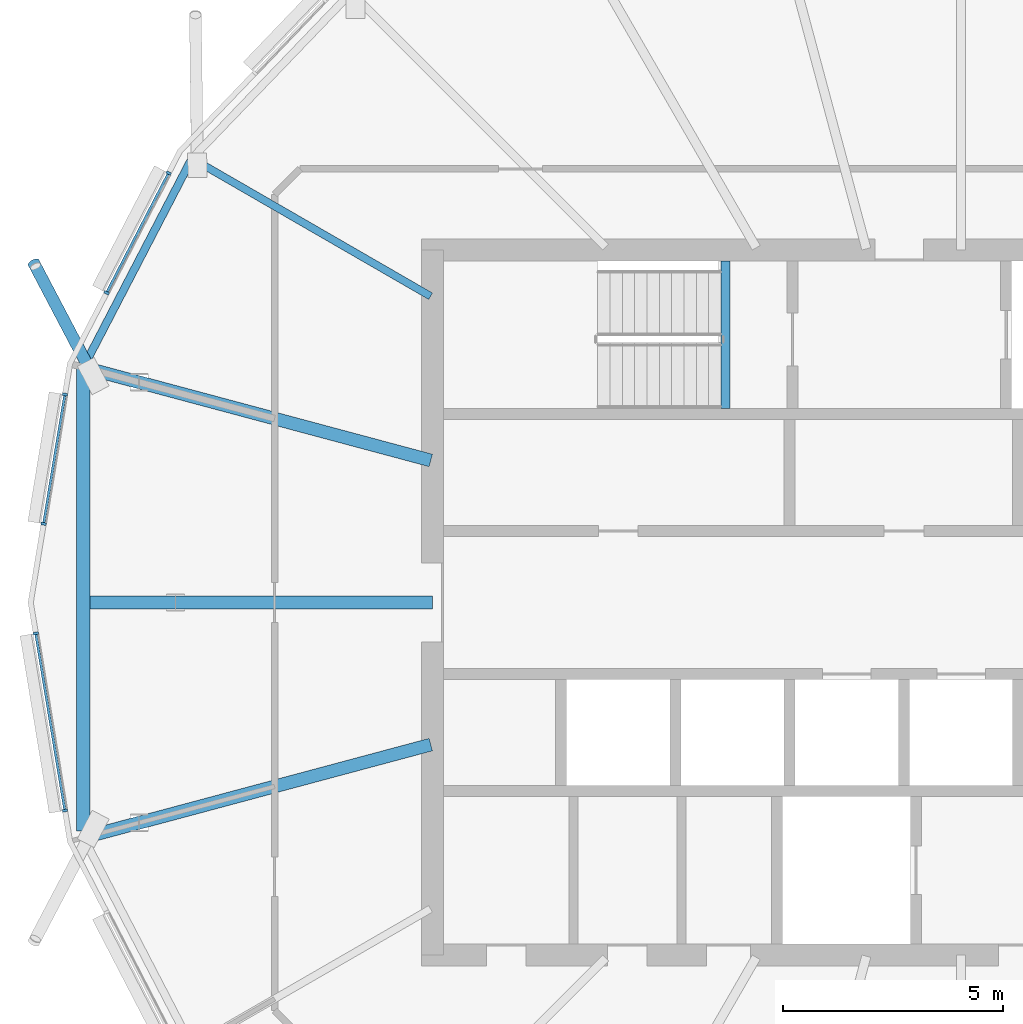
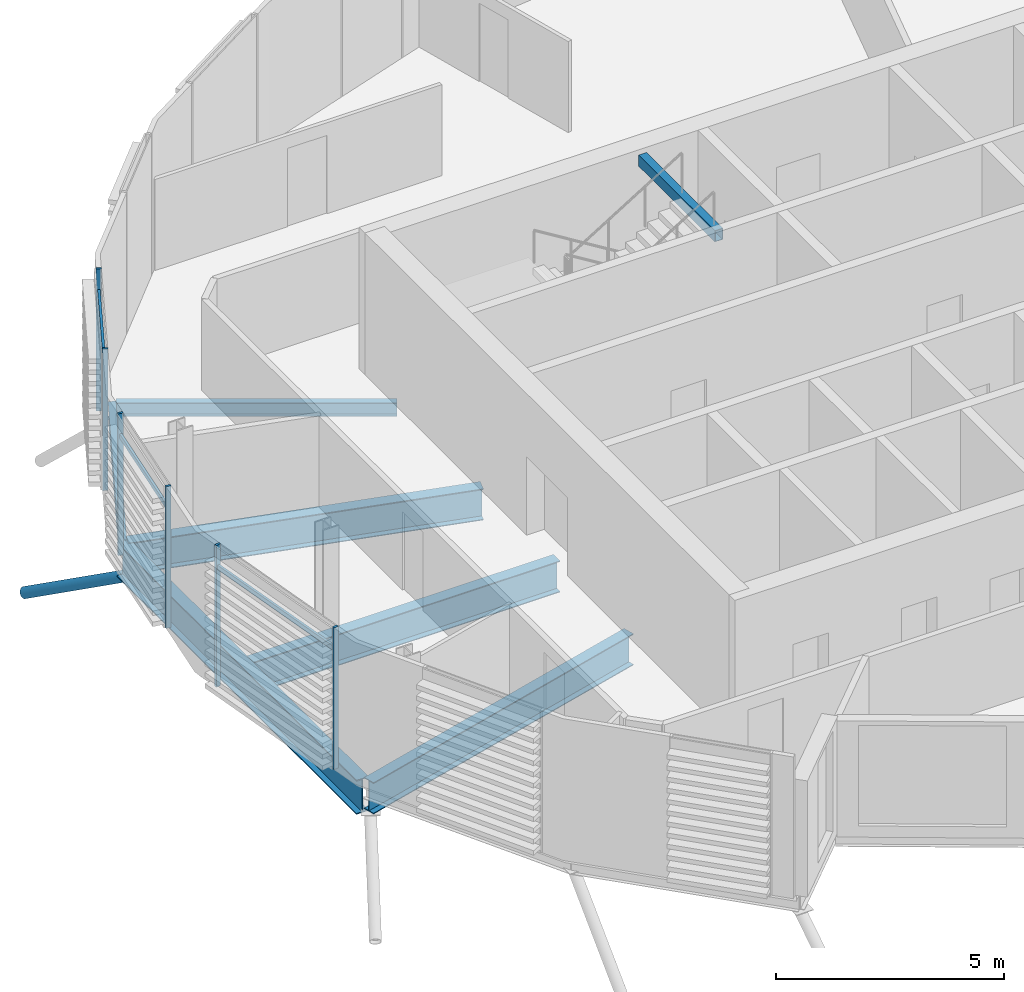
# One storey, part 5 of 38: 10 members, 7 beams, 1 element without a shape of its own.
"""IFC4 building model written with IfcOpenShell, lengths in metres."""

import ifcopenshell
import ifcopenshell.guid

model = None  # the IFC model being written
_history = None  # IfcOwnerHistory: only IFC2X3 demands one
_inside = {}  # id of a spatial element -> (the spatial element, [elements in it])
_under = {}  # id of a project, library or spatial element -> (it, [spatial elements below it])
_declared = {}  # id of a project -> (the project, [libraries it declares])
_typed = {}  # id of a type object -> (the type object, [elements of that type])
_made_of = {}  # id of a material, layer set ... -> (it, [elements and type objects made of it])


def new_model(schema):
    """Start an empty IFC model of exactly this schema.

    Asked for "IFC4X3", IfcOpenShell would pick the latest addendum, in which some entities
    have other attributes; the version numbers below select the first issue.
    IFC2X3 requires an IfcOwnerHistory on every rooted entity: one is made here for all.
    """
    global model, _history
    if schema == "IFC4X3":
        model = ifcopenshell.file(schema_version=(4, 3, 0, 0))
    else:
        model = ifcopenshell.file(schema=schema)
    _inside.clear()
    _under.clear()
    _declared.clear()
    _typed.clear()
    _made_of.clear()
    _history = None
    if model.schema == "IFC2X3":
        org = make("IfcOrganization", Name="unknown")
        user = make(
            "IfcPersonAndOrganization",
            ThePerson=make("IfcPerson", FamilyName="unknown"),
            TheOrganization=org,
        )
        app = make(
            "IfcApplication",
            ApplicationDeveloper=org,
            Version="unknown",
            ApplicationFullName="unknown",
            ApplicationIdentifier="unknown",
        )
        _history = make(
            "IfcOwnerHistory",
            OwningUser=user,
            OwningApplication=app,
            ChangeAction="ADDED",
            CreationDate=0,
        )
    return model


def make(cls, **values):
    """One entity of the class cls with the attributes given. An attribute that is None is left unset."""
    return model.create_entity(
        cls, **{name: value for name, value in values.items() if value is not None}
    )


def rooted(cls, **values):
    """An entity with a GlobalId (a new one), such as an element, a storey or a relation."""
    return make(cls, GlobalId=ifcopenshell.guid.new(), OwnerHistory=_history, **values)


def si_unit(unit_type, name, prefix=None):
    """IfcSIUnit, for example si_unit("LENGTHUNIT", "METRE", prefix="MILLI")."""
    return make("IfcSIUnit", UnitType=unit_type, Prefix=prefix, Name=name)


def assignment(units):
    """IfcUnitAssignment: the units of a project."""
    return None if units is None else make("IfcUnitAssignment", Units=units)


def point(xyz):
    """IfcCartesianPoint."""
    return None if xyz is None else make("IfcCartesianPoint", Coordinates=xyz)


def direction(xyz):
    """IfcDirection."""
    return None if xyz is None else make("IfcDirection", DirectionRatios=xyz)


def frame(location, z_axis=None, x_axis=None):
    """IfcAxis2Placement3D, a coordinate frame: its origin and axes. An axis left out is left unset."""
    return make(
        "IfcAxis2Placement3D",
        Location=point(location),
        Axis=direction(z_axis),
        RefDirection=direction(x_axis),
    )


def frame_2d(location, x_axis=None):
    """IfcAxis2Placement2D, a coordinate frame in the plane: its origin and x axis."""
    return make(
        "IfcAxis2Placement2D", Location=point(location), RefDirection=direction(x_axis)
    )


def origin():
    """The frame at (0, 0, 0) with its axes left unset."""
    return frame((0.0, 0.0, 0.0))


def origin_2d():
    """The frame at (0, 0) in the plane with its x axis left unset."""
    return frame_2d((0.0, 0.0))


def place(relative_to, where):
    """IfcLocalPlacement: puts the frame where relative to a parent placement (None: the world)."""
    return make(
        "IfcLocalPlacement", PlacementRelTo=relative_to, RelativePlacement=where
    )


def context(
    kind, dimensions, precision=None, world=None, true_north=None, identifier=None
):
    """IfcGeometricRepresentationContext, for example the 3D "Model" context."""
    return make(
        "IfcGeometricRepresentationContext",
        ContextIdentifier=identifier,
        ContextType=kind,
        CoordinateSpaceDimension=dimensions,
        Precision=precision,
        WorldCoordinateSystem=world,
        TrueNorth=true_north,
    )


def subcontext(parent, identifier, kind, view, scale=None):
    """IfcGeometricRepresentationSubContext, for example "Body" below "Model"."""
    return make(
        "IfcGeometricRepresentationSubContext",
        ContextIdentifier=identifier,
        ContextType=kind,
        ParentContext=parent,
        TargetScale=scale,
        TargetView=view,
    )


def project(units=None, contexts=None):
    """IfcProject with its units and contexts."""
    return rooted(
        "IfcProject",
        Name="project",
        RepresentationContexts=contexts,
        UnitsInContext=assignment(units),
    )


def spatial(cls, under=None, at=None, **own):
    """A site, building, storey or space (cls), placed at a placement, below another one or the project."""
    s = rooted(cls, ObjectPlacement=at, **own)
    if under is not None:
        _under.setdefault(under.id(), (under, []))[1].append(s)
    return s


def profile(cls, at=None, kind="AREA", **sizes):
    """A parametric profile (cls). Its sizes go by their IFC names, for example OverallWidth=200.0."""
    return make(cls, ProfileType=kind, Position=at, **sizes)


def rectangle(**sizes):
    """IfcRectangleProfileDef."""
    return profile("IfcRectangleProfileDef", **sizes)


def hollow_rectangle(**sizes):
    """IfcRectangleHollowProfileDef."""
    return profile("IfcRectangleHollowProfileDef", **sizes)


def hollow_circle(**sizes):
    """IfcCircleHollowProfileDef."""
    return profile("IfcCircleHollowProfileDef", **sizes)


def i_section(**sizes):
    """IfcIShapeProfileDef."""
    return profile("IfcIShapeProfileDef", **sizes)


def extrude(swept, where, along, depth):
    """IfcExtrudedAreaSolid: the profile swept, set in the frame where, extruded along a direction by depth."""
    return make(
        "IfcExtrudedAreaSolid",
        SweptArea=swept,
        Position=where,
        ExtrudedDirection=direction(along),
        Depth=depth,
    )


def clip(a, b, op="DIFFERENCE"):
    """IfcBooleanClippingResult: the solid a cut by the half space b."""
    return make(
        "IfcBooleanClippingResult", Operator=op, FirstOperand=a, SecondOperand=b
    )


def halfspace(plane, agree):
    """IfcHalfSpaceSolid: all space on one side of the plane z = 0 of the frame plane."""
    return make(
        "IfcHalfSpaceSolid",
        BaseSurface=make("IfcPlane", Position=plane),
        AgreementFlag=agree,
    )


def shape(context_of_items, identifier, shape_type, items):
    """IfcShapeRepresentation: the items that make up one representation, for example the "Body"."""
    return make(
        "IfcShapeRepresentation",
        ContextOfItems=context_of_items,
        RepresentationIdentifier=identifier,
        RepresentationType=shape_type,
        Items=items,
    )


def material(Name=None, Category=None):
    """IfcMaterial."""
    return make("IfcMaterial", Name=Name, Category=Category)


def material_profile(
    of_material, cross_section, Name=None, Category=None, Priority=None
):
    """IfcMaterialProfile: a cross section and its material."""
    return make(
        "IfcMaterialProfile",
        Name=Name,
        Material=of_material,
        Profile=cross_section,
        Priority=Priority,
        Category=Category,
    )


def profile_set(profiles, Name=None, composite=None):
    """IfcMaterialProfileSet."""
    return make(
        "IfcMaterialProfileSet",
        Name=Name,
        MaterialProfiles=profiles,
        CompositeProfile=composite,
    )


def made_of(thing, what):
    """Note that an element or type object is made of a material, layer set ...; save() writes the relation."""
    if what is not None:
        _made_of.setdefault(what.id(), (what, []))[1].append(thing)
    return thing


def type_object(cls, material=None, **own):
    """A type object (cls), such as IfcWallType, which elements share."""
    return made_of(rooted(cls, **own), material)


def element(
    cls,
    number,
    at=None,
    inside=None,
    cuts=None,
    type_object=None,
    material=None,
    context=None,
    identifier="Body",
    shape_type=None,
    held_by="IfcProductDefinitionShape",
    body=None,
    shapes=None,
    **own,
):
    """One element of the class cls, such as IfcWall. Its Tag is "e" and its number.

    at: its placement. inside: the storey or other place that contains it. cuts: it is an
    opening in that element (IfcRelVoidsElement). A single representation is given by context,
    identifier, shape_type and body (its items); several are given by shapes. held_by: the class
    of the entity that holds the representations. save() writes the other relations.
    """
    e = rooted(cls, Tag="e%d" % number, ObjectPlacement=at, **own)
    if body is not None:
        shapes = [shape(context, identifier, shape_type, body)]
    if shapes is not None:
        e.Representation = make(held_by, Representations=shapes)
    if inside is not None:
        _inside.setdefault(inside.id(), (inside, []))[1].append(e)
    if cuts is not None:
        rooted(
            "IfcRelVoidsElement", RelatingBuildingElement=cuts, RelatedOpeningElement=e
        )
    if type_object is not None:
        _typed.setdefault(type_object.id(), (type_object, []))[1].append(e)
    return made_of(e, material)


def aggregate(whole, parts):
    """IfcRelAggregates: a whole, such as a stair, and the parts it consists of."""
    return rooted("IfcRelAggregates", RelatingObject=whole, RelatedObjects=parts)


def save(model, path):
    """Write the relations noted so far, then the file.

    IfcRelAggregates (storeys below a building ...), IfcRelContainedInSpatialStructure (elements
    in a storey), IfcRelDefinesByType, IfcRelAssociatesMaterial and IfcRelDeclares: one each for
    every whole, place, type object, material and project.
    """
    for whole, parts in _under.values():
        aggregate(whole, parts)
    for where, things in _inside.values():
        rooted(
            "IfcRelContainedInSpatialStructure",
            RelatedElements=things,
            RelatingStructure=where,
        )
    for kind, things in _typed.values():
        rooted("IfcRelDefinesByType", RelatedObjects=things, RelatingType=kind)
    for what, things in _made_of.values():
        rooted("IfcRelAssociatesMaterial", RelatedObjects=things, RelatingMaterial=what)
    for by, libraries in _declared.values():
        rooted("IfcRelDeclares", RelatingContext=by, RelatedDefinitions=libraries)
    model.write(path)


model = new_model("IFC4")

# Units and contexts
model_context = context("Model", 3, precision=1e-05, world=origin(), true_north=direction((0.0, 1.0)))
body_context = subcontext(model_context, "Body", "Model", "MODEL_VIEW")
ifc_project = project(units=[si_unit("LENGTHUNIT", "METRE"), si_unit("AREAUNIT", "SQUARE_METRE"), si_unit("VOLUMEUNIT", "CUBIC_METRE"), si_unit("PLANEANGLEUNIT", "RADIAN"), si_unit("MASSUNIT", "GRAM", prefix="KILO")], contexts=[model_context])

# Site, building, storey
site_placement = place(None, origin())
site = spatial("IfcSite", under=ifc_project, at=site_placement, CompositionType="ELEMENT")
building_placement = place(site_placement, origin())
building = spatial("IfcBuilding", under=site, at=building_placement, Name="Rimbun Link Towers", CompositionType="ELEMENT")
storey_placement = place(building_placement, frame((0.0, 0.0, 218.10009765625)))
storey = spatial("IfcBuildingStorey", under=building, at=storey_placement, Name="L53", CompositionType="ELEMENT", Elevation=218.10009765625)

# Curtain wall, members
ifc_material_1 = material(Name="Aluminium 6063-T6 and low-iron glass", Category="aluminium")
curtain_wall_type = type_object("IfcCurtainWallType", Name="CW1-Z4 unitised vision wall (zone 4)", PredefinedType="NOTDEFINED", material=ifc_material_1)
curtain_wall_placement = place(storey_placement, origin())
curtain_wall = element("IfcCurtainWall", 1, at=curtain_wall_placement, inside=storey, type_object=curtain_wall_type, Name="CW1 L53 T1", PredefinedType="NOTDEFINED")
ifc_material_2 = material(Name="Aluminium 6063-T6", Category="aluminium")
ifc_material_profile_1 = material_profile(ifc_material_2, rectangle(XDim=0.1201171875, YDim=0.06005859375, at=origin_2d()), Name="MULLION 60X120")
ifc_profile_set_1 = profile_set([ifc_material_profile_1], Name="Aluminium 6063-T6")
member_type_1 = type_object("IfcMemberType", Name="CW1 mullion 60X120", PredefinedType="MULLION", material=ifc_profile_set_1)
member_1_placement = place(storey_placement, frame((-51.1474609375, 7.03125, 0.0), z_axis=(0.0, 0.0, 1.0), x_axis=(-0.888150016656, 0.459553639865, 0.0)))
member_1 = element("IfcMember", 2, at=member_1_placement, type_object=member_type_1, Name="CW1 mullion", PredefinedType="MULLION", context=body_context, shape_type="SweptSolid", body=[
    extrude(rectangle(XDim=0.1201171875, YDim=0.06005859375, at=origin_2d()), origin(), (0.0, 0.0, 1.0), 3.7998046875),
])
member_2_placement = place(storey_placement, frame((-49.740966796875, 9.74951171875, 0.0), z_axis=(0.0, 0.0, 1.0), x_axis=(-0.888150016656, 0.459553639865, 0.0)))
member_2 = element("IfcMember", 3, at=member_2_placement, type_object=member_type_1, Name="CW1 mullion", PredefinedType="MULLION", context=body_context, shape_type="SweptSolid", body=[
    extrude(rectangle(XDim=0.1201171875, YDim=0.06005859375, at=origin_2d()), origin(), (0.0, 0.0, 1.0), 3.7998046875),
])
member_3_placement = place(storey_placement, frame((-52.577392578125, 1.785888671875, 0.0), z_axis=(0.0, 0.0, 1.0), x_axis=(-0.986747369979, 0.162264068235, 0.0)))
member_3 = element("IfcMember", 4, at=member_3_placement, type_object=member_type_1, Name="CW1 mullion", PredefinedType="MULLION", context=body_context, shape_type="SweptSolid", body=[
    extrude(rectangle(XDim=0.1201171875, YDim=0.06005859375, at=origin_2d()), origin(), (0.0, 0.0, 1.0), 3.7998046875),
])
member_4_placement = place(storey_placement, frame((-52.09423828125, 4.723876953125, 0.0), z_axis=(0.0, 0.0, 1.0), x_axis=(-0.986747369979, 0.162264068235, 0.0)))
member_4 = element("IfcMember", 5, at=member_4_placement, type_object=member_type_1, Name="CW1 mullion", PredefinedType="MULLION", context=body_context, shape_type="SweptSolid", body=[
    extrude(rectangle(XDim=0.1201171875, YDim=0.06005859375, at=origin_2d()), origin(), (0.0, 0.0, 1.0), 3.7998046875),
])
member_5_placement = place(storey_placement, frame((-52.09423828125, -4.723876953125, 0.0), z_axis=(0.0, 0.0, 1.0), x_axis=(-0.986747369979, -0.162264068235, 0.0)))
member_5 = element("IfcMember", 6, at=member_5_placement, type_object=member_type_1, Name="CW1 mullion", PredefinedType="MULLION", context=body_context, shape_type="SweptSolid", body=[
    extrude(rectangle(XDim=0.1201171875, YDim=0.06005859375, at=origin_2d()), origin(), (0.0, 0.0, 1.0), 3.7998046875),
])
member_6_placement = place(storey_placement, frame((-52.755859375, -0.700439453125, 0.0), z_axis=(0.0, 0.0, 1.0), x_axis=(-0.986747369979, -0.162264068235, 0.0)))
member_6 = element("IfcMember", 7, at=member_6_placement, type_object=member_type_1, Name="CW1 mullion", PredefinedType="MULLION", context=body_context, shape_type="SweptSolid", body=[
    extrude(rectangle(XDim=0.1201171875, YDim=0.06005859375, at=origin_2d()), origin(), (0.0, 0.0, 1.0), 3.7998046875),
])
ifc_material_3 = material(Name="Aluminium 6063-T6", Category="aluminium")
ifc_material_profile_2 = material_profile(ifc_material_3, rectangle(XDim=0.06005859375, YDim=0.1201171875, at=origin_2d()), Name="TRANSOM 60X120")
ifc_profile_set_2 = profile_set([ifc_material_profile_2], Name="Aluminium 6063-T6")
member_type_2 = type_object("IfcMemberType", Name="CW1 transom 60X120", PredefinedType="USERDEFINED", material=ifc_profile_set_2)
member_7_placement = place(storey_placement, frame((-51.1318359375, 7.056884765625, 3.199951171875), z_axis=(0.459538013842, 0.888158101823, 0.0), x_axis=(-0.888158101823, 0.459538013842, 0.0)))
member_7 = element("IfcMember", 8, at=member_7_placement, type_object=member_type_2, Name="CW1 transom", ObjectType="TRANSOM", PredefinedType="USERDEFINED", context=body_context, shape_type="SweptSolid", body=[
    extrude(rectangle(XDim=0.06005859375, YDim=0.1201171875, at=origin_2d()), origin(), (0.0, 0.0, 1.0), 3.000732421875),
])
member_8_placement = place(storey_placement, frame((-52.570556640625, 1.815185546875, 3.199951171875), z_axis=(0.162254593898, 0.986748927924, 0.0), x_axis=(-0.986748927924, 0.162254593898, 0.0)))
member_8 = element("IfcMember", 9, at=member_8_placement, type_object=member_type_2, Name="CW1 transom", ObjectType="TRANSOM", PredefinedType="USERDEFINED", context=body_context, shape_type="SweptSolid", body=[
    extrude(rectangle(XDim=0.06005859375, YDim=0.1201171875, at=origin_2d()), origin(), (0.0, 0.0, 1.0), 2.91748046875),
])
member_9_placement = place(storey_placement, frame((-52.09716796875, -4.694091796875, 3.199951171875), z_axis=(-0.162250369036, 0.986749622624, 0.0), x_axis=(-0.986749622624, -0.162250369036, 0.0)))
member_9 = element("IfcMember", 10, at=member_9_placement, type_object=member_type_2, Name="CW1 transom", ObjectType="TRANSOM", PredefinedType="USERDEFINED", context=body_context, shape_type="SweptSolid", body=[
    extrude(rectangle(XDim=0.06005859375, YDim=0.1201171875, at=origin_2d()), origin(), (0.0, 0.0, 1.0), 4.017578125),
])
aggregate(curtain_wall, [member_1, member_2, member_3, member_4, member_5, member_6, member_7, member_8, member_9])

# Member
ifc_material_4 = material(Name="Steel S355J2H", Category="steel")
ifc_material_profile_3 = material_profile(ifc_material_4, hollow_circle(Radius=0.136474609375, WallThickness=0.012451171875, at=origin_2d()), Name="CHS 273x12.5")
ifc_profile_set_3 = profile_set([ifc_material_profile_3], Name="Steel S355J2H")
member_type_3 = type_object("IfcMemberType", Name="Floor edge link CHS 273x12.5", PredefinedType="BRACE", material=ifc_profile_set_3)
member_10_placement = place(storey_placement, frame((-51.536865234375, 5.302001953125, -1.1005859375), z_axis=(-0.408204372479, 0.776884818228, -0.479394586428), x_axis=(-0.885238476551, -0.465137441659, 0.0)))
element("IfcMember", 11, at=member_10_placement, inside=storey, type_object=member_type_3, Name="Floor edge link T1 L53 11", PredefinedType="BRACE", context=body_context, shape_type="Clipping", body=[
    clip(extrude(hollow_circle(Radius=0.136474609375, WallThickness=0.012451171875, at=origin_2d()), frame((0.0, 0.0, -0.5205078125)), (0.0, 0.0, 1.0), 3.627685546875), halfspace(frame((0.0, 0.0, -0.24560546875), z_axis=(0.0, 0.877599470433, -0.479394586428)), False)),
])

# Beams
ifc_material_5 = material(Name="Steel S355J2", Category="steel")
ifc_material_profile_4 = material_profile(ifc_material_5, hollow_rectangle(XDim=0.199951171875, YDim=0.300048828125, WallThickness=0.011962890625, at=origin_2d()), Name="BOX 300x200x12")
ifc_profile_set_4 = profile_set([ifc_material_profile_4], Name="Steel S355J2")
beam_type_1 = type_object("IfcBeamType", Name="Stair trimmer beam BOX 300x200x12", PredefinedType="BEAM", material=ifc_profile_set_4)
beam_1_placement = place(storey_placement, frame((-37.10009765625, 7.75, 3.510009765625), z_axis=(0.0, -1.0, 0.0), x_axis=(1.0, 0.0, 0.0)))
element("IfcBeam", 12, at=beam_1_placement, inside=storey, type_object=beam_type_1, Name="L53 ST1 stair beam 1", PredefinedType="BEAM", context=body_context, shape_type="SweptSolid", body=[
    extrude(hollow_rectangle(XDim=0.199951171875, YDim=0.300048828125, WallThickness=0.011962890625, at=origin_2d()), origin(), (0.0, 0.0, 1.0), 3.35009765625),
])
ifc_material_6 = material(Name="Steel S355J2", Category="steel")
ifc_material_profile_5 = material_profile(ifc_material_6, i_section(OverallWidth=0.17138671875, OverallDepth=0.35498046875, WebThickness=0.00732421875, FlangeThickness=0.011474609375, at=origin_2d()), Name="UB 356x171x51")
ifc_profile_set_5 = profile_set([ifc_material_profile_5], Name="Steel S355J2")
beam_type_2 = type_object("IfcBeamType", Name="UB 356x171x51", PredefinedType="BEAM", material=ifc_profile_set_5)
beam_2_placement = place(storey_placement, frame((-43.793701171875, 6.95361328125, -0.317626953125), z_axis=(-0.866031960439, 0.49998864337, 0.0), x_axis=(-0.49998864337, -0.866031960439, 0.0)))
element("IfcBeam", 13, at=beam_2_placement, inside=storey, type_object=beam_type_2, Name="Radial beam T1 L53 10", PredefinedType="BEAM", context=body_context, shape_type="SweptSolid", body=[
    extrude(i_section(OverallWidth=0.17138671875, OverallDepth=0.35498046875, WebThickness=0.00732421875, FlangeThickness=0.011474609375, at=origin_2d()), origin(), (0.0, 0.0, 1.0), 6.166259765625),
])
ifc_material_7 = material(Name="Steel S355J2", Category="steel")
ifc_material_profile_6 = material_profile(ifc_material_7, i_section(OverallWidth=0.177978515625, OverallDepth=0.406494140625, WebThickness=0.0078125, FlangeThickness=0.0126953125, at=origin_2d()), Name="UB 406x178x60")
ifc_profile_set_6 = profile_set([ifc_material_profile_6], Name="Steel S355J2")
beam_type_3 = type_object("IfcBeamType", Name="UB 406x178x60", PredefinedType="BEAM", material=ifc_profile_set_6)
beam_3_placement = place(storey_placement, frame((-49.218505859375, 10.0693359375, -0.34326171875), z_axis=(-0.460704929301, -0.887553360716, 0.0), x_axis=(0.887553360716, -0.460704929301, 0.0)))
element("IfcBeam", 14, at=beam_3_placement, inside=storey, type_object=beam_type_3, Name="Edge beam T1 L53 10", PredefinedType="BEAM", context=body_context, shape_type="SweptSolid", body=[
    extrude(i_section(OverallWidth=0.177978515625, OverallDepth=0.406494140625, WebThickness=0.0078125, FlangeThickness=0.0126953125, at=origin_2d()), origin(), (0.0, 0.0, 1.0), 5.328857421875),
])
ifc_material_8 = material(Name="Steel S355J2", Category="steel")
ifc_material_profile_7 = material_profile(ifc_material_8, i_section(OverallWidth=0.29248046875, OverallDepth=0.8408203125, WebThickness=0.0126953125, FlangeThickness=0.021728515625, at=origin_2d()), Name="UB 838x292x194")
ifc_profile_set_7 = profile_set([ifc_material_profile_7], Name="Steel S355J2")
beam_type_4 = type_object("IfcBeamType", Name="UB 838x292x194", PredefinedType="BEAM", material=ifc_profile_set_7)
beam_4_placement = place(storey_placement, frame((-43.788818359375, 3.225830078125, -0.560546875), z_axis=(-0.96593104013, 0.258799586001, 0.0), x_axis=(-0.258799586001, -0.96593104013, 0.0)))
element("IfcBeam", 15, at=beam_4_placement, inside=storey, type_object=beam_type_4, Name="Radial beam T1 L53 11", PredefinedType="BEAM", context=body_context, shape_type="SweptSolid", body=[
    extrude(i_section(OverallWidth=0.29248046875, OverallDepth=0.8408203125, WebThickness=0.0126953125, FlangeThickness=0.021728515625, at=origin_2d()), origin(), (0.0, 0.0, 1.0), 8.0712890625),
])
beam_5_placement = place(storey_placement, frame((-43.7509765625, 0.0, -0.560546875), z_axis=(-1.0, 0.0, 0.0), x_axis=(0.0, -1.0, 0.0)))
element("IfcBeam", 16, at=beam_5_placement, inside=storey, type_object=beam_type_4, Name="Radial beam T1 L53 12", PredefinedType="BEAM", context=body_context, shape_type="SweptSolid", body=[
    extrude(i_section(OverallWidth=0.29248046875, OverallDepth=0.8408203125, WebThickness=0.0126953125, FlangeThickness=0.021728515625, at=origin_2d()), origin(), (0.0, 0.0, 1.0), 7.76953125),
])
beam_6_placement = place(storey_placement, frame((-43.788818359375, -3.225830078125, -0.560546875), z_axis=(-0.96593104013, -0.258799586001, 0.0), x_axis=(0.258799586001, -0.96593104013, 0.0)))
element("IfcBeam", 17, at=beam_6_placement, inside=storey, type_object=beam_type_4, Name="Radial beam T1 L53 13", PredefinedType="BEAM", context=body_context, shape_type="SweptSolid", body=[
    extrude(i_section(OverallWidth=0.29248046875, OverallDepth=0.8408203125, WebThickness=0.0126953125, FlangeThickness=0.021728515625, at=origin_2d()), origin(), (0.0, 0.0, 1.0), 8.0712890625),
])
ifc_material_9 = material(Name="Steel S355J2", Category="steel")
ifc_material_profile_8 = material_profile(ifc_material_9, i_section(OverallWidth=0.305419921875, OverallDepth=0.91845703125, WebThickness=0.017333984375, FlangeThickness=0.02783203125, at=origin_2d()), Name="UB 914x305x253")
ifc_profile_set_8 = profile_set([ifc_material_profile_8], Name="Steel S355J2")
beam_type_5 = type_object("IfcBeamType", Name="UB 914x305x253", PredefinedType="BEAM", material=ifc_profile_set_8)
beam_7_placement = place(storey_placement, frame((-51.67431640625, 5.337646484375, -0.599365234375), z_axis=(0.0, -1.0, 0.0), x_axis=(1.0, 0.0, 0.0)))
element("IfcBeam", 18, at=beam_7_placement, inside=storey, type_object=beam_type_5, Name="Edge beam T1 L53 11-13", PredefinedType="BEAM", context=body_context, shape_type="SweptSolid", body=[
    extrude(i_section(OverallWidth=0.305419921875, OverallDepth=0.91845703125, WebThickness=0.017333984375, FlangeThickness=0.02783203125, at=origin_2d()), origin(), (0.0, 0.0, 1.0), 10.52392578125),
])

save(model, "model.ifc")
